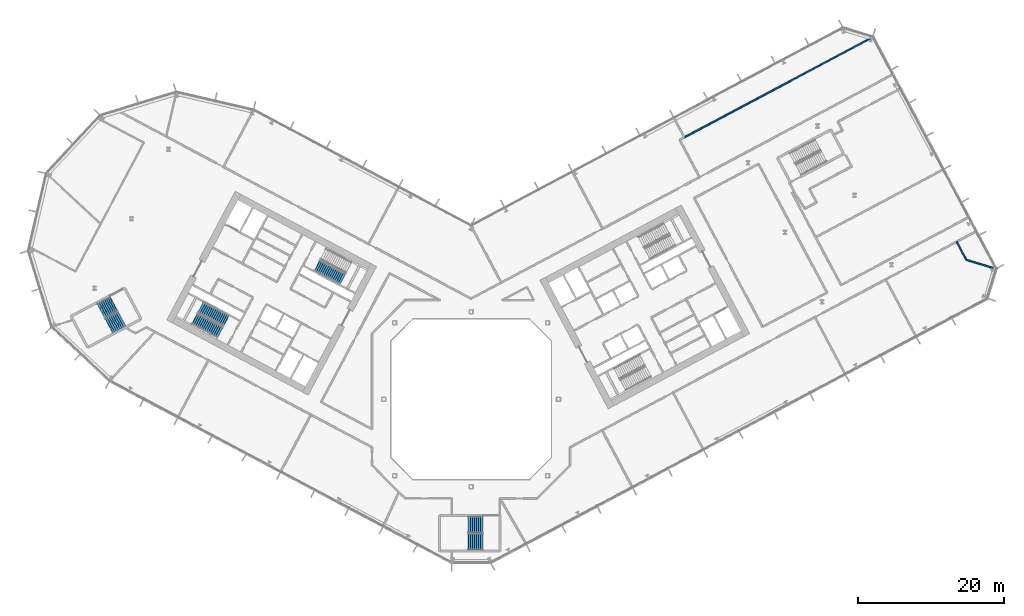
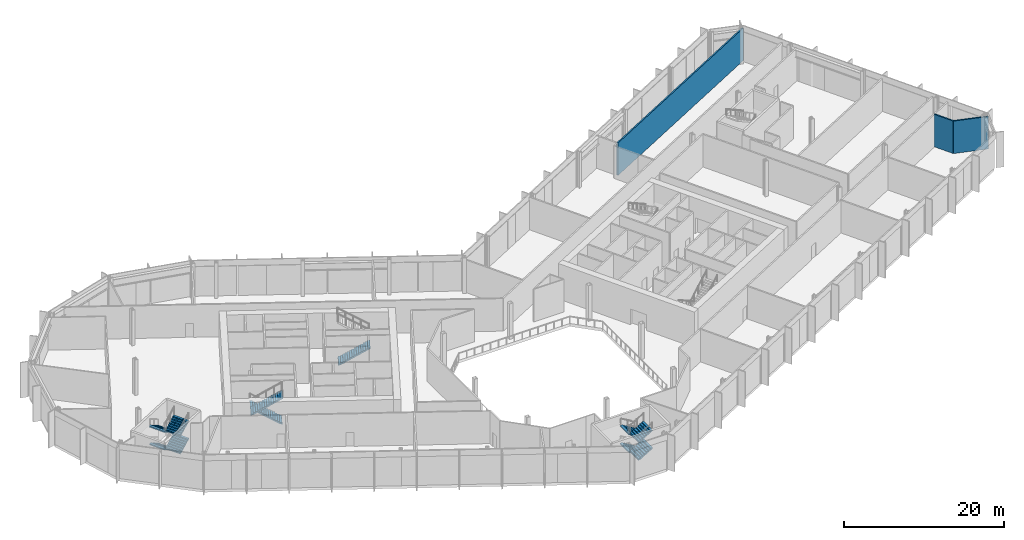
# One storey, part 18 of 31: 11 stair flights, 3 walls, 4 elements without a shape of their own.
"""IFC4 building model written with IfcOpenShell, lengths in metres."""

from ifc_helpers import new_model, si_unit, direction, frame, frame_2d, origin, place, context, subcontext, project, spatial, polyline, rectangle, outline, extrude, material, layer, layer_set, type_object, element, aggregate, save


model = new_model("IFC4")

# Units and contexts
model_context = context("Model", 3, precision=1e-05, world=origin(), true_north=direction((0.0, 1.0)))
body_context = subcontext(model_context, "Body", "Model", "MODEL_VIEW")
ifc_project = project(units=[si_unit("LENGTHUNIT", "METRE"), si_unit("AREAUNIT", "SQUARE_METRE"), si_unit("VOLUMEUNIT", "CUBIC_METRE"), si_unit("PLANEANGLEUNIT", "RADIAN"), si_unit("MASSUNIT", "GRAM", prefix="KILO")], contexts=[model_context])

# Site, building, storey
site_placement = place(None, origin())
site = spatial("IfcSite", under=ifc_project, at=site_placement, CompositionType="ELEMENT")
building_placement = place(site_placement, origin())
building = spatial("IfcBuilding", under=site, at=building_placement, Name="Cormorant Relay Tower", CompositionType="ELEMENT")
storey_placement = place(building_placement, frame((0.0, 0.0, 33.800048828125)))
storey = spatial("IfcBuildingStorey", under=building, at=storey_placement, Name="L06", CompositionType="ELEMENT", Elevation=33.800048828125)

# Walls
ifc_material_1 = material(Name="Fire-rated gypsum board partition")
ifc_layer = layer(ifc_material_1, 0.199951171875)
ifc_layer_set = layer_set([ifc_layer], Name="Fire-rated gypsum partition 200")
wall_type = type_object("IfcWallType", Name="Fire-rated gypsum partition 200", PredefinedType="PARTITIONING", material=ifc_layer_set)
wall_1_placement = place(storey_placement, frame((29.260009765625, 35.945068359375, 0.0), z_axis=(0.0, 0.0, 1.0), x_axis=(0.882955510648, 0.469456671288, 0.0)))
element("IfcWall", 1, at=wall_1_placement, inside=storey, type_object=wall_type, Name="wall/L06/part/37", PredefinedType="PARTITIONING", context=body_context, shape_type="SweptSolid", body=[
    extrude(rectangle(XDim=29.506591796875, YDim=0.199951171875, at=frame_2d((14.75341796875, 0.0))), origin(), (0.0, 0.0, 1.0), 4.949951171875),
])
wall_2_placement = place(storey_placement, frame((66.64892578125, 21.623046875, 0.0), z_axis=(0.0, 0.0, 1.0), x_axis=(0.469796507672, -0.882774739885, 0.0)))
element("IfcWall", 2, at=wall_2_placement, inside=storey, type_object=wall_type, Name="wall/L06/part/54", PredefinedType="PARTITIONING", context=body_context, shape_type="SweptSolid", body=[
    extrude(rectangle(XDim=2.801513671875, YDim=0.199951171875, at=frame_2d((1.40087890625, 0.0))), origin(), (0.0, 0.0, 1.0), 4.949951171875),
])
wall_3_placement = place(storey_placement, frame((67.965087890625, 19.14990234375, 0.0), z_axis=(0.0, 0.0, 1.0), x_axis=(0.956221844793, -0.292642757539, 0.0)))
element("IfcWall", 3, at=wall_3_placement, inside=storey, type_object=wall_type, Name="wall/L06/part/55", PredefinedType="PARTITIONING", context=body_context, shape_type="SweptSolid", body=[
    extrude(rectangle(XDim=4.459228515625, YDim=0.199951171875, at=frame_2d((2.2294921875, 0.0))), origin(), (0.0, 0.0, 1.0), 4.949951171875),
])

# Stair, stair flight
ifc_material_2 = material(Name="Concrete 40 MPa", Category="concrete")
stair_type_1 = type_object("IfcStairType", Name="Exit stair 1500", PredefinedType="HALF_TURN_STAIR", material=ifc_material_2)
stair_1_placement = place(storey_placement, origin())
stair_1 = element("IfcStair", 4, at=stair_1_placement, inside=storey, type_object=stair_type_1, Name="L06 Stair", PredefinedType="HALF_TURN_STAIR")
ifc_material_3 = material(Name="Concrete 40 MPa", Category="concrete")
stair_flight_type_1 = type_object("IfcStairFlightType", Name="Exit stair flight 1650", PredefinedType="STRAIGHT", material=ifc_material_3)
stair_flight_1_placement = place(storey_placement, frame((-21.114501953125, 18.33349609375, 0.0), z_axis=(0.0, 0.0, 1.0), x_axis=(0.882947592859, -0.469471562786, 0.0)))
stair_flight_1 = element("IfcStairFlight", 5, at=stair_flight_1_placement, type_object=stair_flight_type_1, Name="A1 flight 1", NumberOfRisers=15, NumberOfTreads=14, PredefinedType="STRAIGHT", RiserHeight=0.18, TreadLength=0.28, context=body_context, shape_type="SweptSolid", body=[
    extrude(outline(polyline([(-0.050048828125, -0.080078125), (-0.050048828125, 0.0), (0.0, 0.0), (0.0, 0.179931640625), (0.280029296875, 0.179931640625), (0.280029296875, 0.360107421875), (0.56005859375, 0.360107421875), (0.56005859375, 0.5400390625), (0.840087890625, 0.5400390625), (0.840087890625, 0.719970703125), (1.1201171875, 0.719970703125), (1.1201171875, 0.89990234375), (1.39990234375, 0.89990234375), (1.39990234375, 1.080078125), (1.679931640625, 1.080078125), (1.679931640625, 1.260009765625), (1.9599609375, 1.260009765625), (1.9599609375, 1.43994140625), (2.239990234375, 1.43994140625), (2.239990234375, 1.6201171875), (2.52001953125, 1.6201171875), (2.52001953125, 1.800048828125), (2.800048828125, 1.800048828125), (2.800048828125, 1.97998046875), (3.080078125, 1.97998046875), (3.080078125, 2.159912109375), (3.360107421875, 2.159912109375), (3.360107421875, 2.340087890625), (3.639892578125, 2.340087890625), (3.639892578125, 2.52001953125), (3.919921875, 2.52001953125), (3.969970703125, 2.52001953125), (3.969970703125, 2.341796875), (3.919921875, 2.341796875), (0.277099609375, 0.0), (-0.050048828125, -0.080078125)])), frame((0.0, 0.824951171875, 0.0), z_axis=(0.0, -1.0, 0.0), x_axis=(1.0, 0.0, 0.0)), (0.0, 0.0, 1.0), 1.64990234375),
])
aggregate(stair_1, [stair_flight_1])

# Stair, stair flights
stair_2_placement = place(storey_placement, origin())
stair_2 = element("IfcStair", 6, at=stair_2_placement, inside=storey, type_object=stair_type_1, Name="L06 Stair", PredefinedType="HALF_TURN_STAIR")
stair_flight_2_placement = place(storey_placement, frame((-33.62841796875, 10.773681640625, 0.0), z_axis=(0.0, 0.0, 1.0), x_axis=(-0.882947592859, 0.469471562786, 0.0)))
stair_flight_2 = element("IfcStairFlight", 7, at=stair_flight_2_placement, type_object=stair_flight_type_1, Name="A2 flight 1", NumberOfRisers=15, NumberOfTreads=14, PredefinedType="STRAIGHT", RiserHeight=0.18, TreadLength=0.28, context=body_context, shape_type="SweptSolid", body=[
    extrude(outline(polyline([(-0.050048828125, -0.080078125), (-0.050048828125, 0.0), (0.0, 0.0), (0.0, 0.179931640625), (0.280029296875, 0.179931640625), (0.280029296875, 0.360107421875), (0.56005859375, 0.360107421875), (0.56005859375, 0.5400390625), (0.840087890625, 0.5400390625), (0.840087890625, 0.719970703125), (1.1201171875, 0.719970703125), (1.1201171875, 0.89990234375), (1.39990234375, 0.89990234375), (1.39990234375, 1.080078125), (1.679931640625, 1.080078125), (1.679931640625, 1.260009765625), (1.9599609375, 1.260009765625), (1.9599609375, 1.43994140625), (2.239990234375, 1.43994140625), (2.239990234375, 1.6201171875), (2.52001953125, 1.6201171875), (2.52001953125, 1.800048828125), (2.800048828125, 1.800048828125), (2.800048828125, 1.97998046875), (3.080078125, 1.97998046875), (3.080078125, 2.159912109375), (3.360107421875, 2.159912109375), (3.360107421875, 2.340087890625), (3.639892578125, 2.340087890625), (3.639892578125, 2.52001953125), (3.919921875, 2.52001953125), (3.969970703125, 2.52001953125), (3.969970703125, 2.341796875), (3.919921875, 2.341796875), (0.277099609375, 0.0), (-0.050048828125, -0.080078125)])), frame((0.0, 0.824951171875, 0.0), z_axis=(0.0, -1.0, 0.0), x_axis=(1.0, 0.0, 0.0)), (0.0, 0.0, 1.0), 1.64990234375),
])
stair_flight_3_placement = place(storey_placement, frame((-37.9345703125, 11.024658203125, 2.699951171875), z_axis=(0.0, 0.0, 1.0), x_axis=(0.882947592859, -0.469471562786, 0.0)))
stair_flight_3 = element("IfcStairFlight", 8, at=stair_flight_3_placement, type_object=stair_flight_type_1, Name="A2 flight 2", NumberOfRisers=15, NumberOfTreads=14, PredefinedType="STRAIGHT", RiserHeight=0.18, TreadLength=0.28, context=body_context, shape_type="SweptSolid", body=[
    extrude(outline(polyline([(-0.050048828125, -0.080078125), (-0.050048828125, 0.0), (0.0, 0.0), (0.0, 0.179931640625), (0.280029296875, 0.179931640625), (0.280029296875, 0.360107421875), (0.56005859375, 0.360107421875), (0.56005859375, 0.5400390625), (0.840087890625, 0.5400390625), (0.840087890625, 0.719970703125), (1.1201171875, 0.719970703125), (1.1201171875, 0.89990234375), (1.39990234375, 0.89990234375), (1.39990234375, 1.080078125), (1.679931640625, 1.080078125), (1.679931640625, 1.260009765625), (1.9599609375, 1.260009765625), (1.9599609375, 1.43994140625), (2.239990234375, 1.43994140625), (2.239990234375, 1.6201171875), (2.52001953125, 1.6201171875), (2.52001953125, 1.800048828125), (2.800048828125, 1.800048828125), (2.800048828125, 1.97998046875), (3.080078125, 1.97998046875), (3.080078125, 2.159912109375), (3.360107421875, 2.159912109375), (3.360107421875, 2.340087890625), (3.639892578125, 2.340087890625), (3.639892578125, 2.52001953125), (3.919921875, 2.52001953125), (3.969970703125, 2.52001953125), (3.969970703125, 2.341796875), (3.919921875, 2.341796875), (0.277099609375, 0.0), (-0.050048828125, -0.080078125)])), frame((0.0, 0.824951171875, 0.0), z_axis=(0.0, -1.0, 0.0), x_axis=(1.0, 0.0, 0.0)), (0.0, 0.0, 1.0), 1.64990234375),
])
aggregate(stair_2, [stair_flight_2, stair_flight_3])

ifc_material_4 = material(Name="Concrete 40 MPa", Category="concrete")
stair_type_2 = type_object("IfcStairType", Name="Remote exit stair 2200", PredefinedType="HALF_TURN_STAIR", material=ifc_material_4)
stair_3_placement = place(storey_placement, origin())
stair_3 = element("IfcStair", 9, at=stair_3_placement, inside=storey, type_object=stair_type_2, Name="L06 Stair", PredefinedType="HALF_TURN_STAIR")
ifc_material_5 = material(Name="Concrete 40 MPa", Category="concrete")
stair_flight_type_2 = type_object("IfcStairFlightType", Name="Remote exit stair flight 2200", PredefinedType="STRAIGHT", material=ifc_material_5)
stair_flight_4_placement = place(storey_placement, frame((1.60009765625, -17.22509765625, 0.0), z_axis=(0.0, 0.0, 1.0), x_axis=(-1.0, 0.0, 0.0)))
stair_flight_4 = element("IfcStairFlight", 10, at=stair_flight_4_placement, type_object=stair_flight_type_2, Name="RK1 flight 1", NumberOfRisers=8, NumberOfTreads=7, PredefinedType="STRAIGHT", RiserHeight=0.16875, TreadLength=0.28, context=body_context, shape_type="SweptSolid", body=[
    extrude(outline(polyline([(-0.050048828125, -0.080078125), (-0.050048828125, 0.0), (0.0, 0.0), (0.0, 0.168701171875), (0.280029296875, 0.168701171875), (0.280029296875, 0.33740234375), (0.56005859375, 0.33740234375), (0.56005859375, 0.50634765625), (0.840087890625, 0.50634765625), (0.840087890625, 0.675048828125), (1.1201171875, 0.675048828125), (1.1201171875, 0.84375), (1.39990234375, 0.84375), (1.39990234375, 1.012451171875), (1.679931640625, 1.012451171875), (1.679931640625, 1.18115234375), (1.9599609375, 1.18115234375), (2.010009765625, 1.18115234375), (2.010009765625, 1.00634765625), (1.9599609375, 1.00634765625), (0.29052734375, 0.0), (-0.050048828125, -0.080078125)])), frame((0.0, 1.10009765625, 0.0), z_axis=(0.0, -1.0, 0.0), x_axis=(1.0, 0.0, 0.0)), (0.0, 0.0, 1.0), 0.719970703125),
    extrude(outline(polyline([(-0.050048828125, -0.080078125), (-0.050048828125, 0.0), (0.0, 0.0), (0.0, 0.168701171875), (0.280029296875, 0.168701171875), (0.280029296875, 0.33740234375), (0.56005859375, 0.33740234375), (0.56005859375, 0.50634765625), (0.840087890625, 0.50634765625), (0.840087890625, 0.675048828125), (1.1201171875, 0.675048828125), (1.1201171875, 0.84375), (1.39990234375, 0.84375), (1.39990234375, 1.012451171875), (1.679931640625, 1.012451171875), (1.679931640625, 1.18115234375), (1.9599609375, 1.18115234375), (2.010009765625, 1.18115234375), (2.010009765625, 1.00634765625), (1.9599609375, 1.00634765625), (0.29052734375, 0.0), (-0.050048828125, -0.080078125)])), frame((0.0, 0.360107421875, 0.0), z_axis=(0.0, -1.0, 0.0), x_axis=(1.0, 0.0, 0.0)), (0.0, 0.0, 1.0), 0.719970703125),
    extrude(outline(polyline([(-0.050048828125, -0.080078125), (-0.050048828125, 0.0), (0.0, 0.0), (0.0, 0.168701171875), (0.280029296875, 0.168701171875), (0.280029296875, 0.33740234375), (0.56005859375, 0.33740234375), (0.56005859375, 0.50634765625), (0.840087890625, 0.50634765625), (0.840087890625, 0.675048828125), (1.1201171875, 0.675048828125), (1.1201171875, 0.84375), (1.39990234375, 0.84375), (1.39990234375, 1.012451171875), (1.679931640625, 1.012451171875), (1.679931640625, 1.18115234375), (1.9599609375, 1.18115234375), (2.010009765625, 1.18115234375), (2.010009765625, 1.00634765625), (1.9599609375, 1.00634765625), (0.29052734375, 0.0), (-0.050048828125, -0.080078125)])), frame((0.0, -0.3798828125, 0.0), z_axis=(0.0, -1.0, 0.0), x_axis=(1.0, 0.0, 0.0)), (0.0, 0.0, 1.0), 0.719970703125),
])
stair_flight_5_placement = place(storey_placement, frame((-0.360107421875, -19.574951171875, 1.349853515625), z_axis=(0.0, 0.0, 1.0), x_axis=(1.0, 0.0, 0.0)))
stair_flight_5 = element("IfcStairFlight", 11, at=stair_flight_5_placement, type_object=stair_flight_type_2, Name="RK1 flight 2", NumberOfRisers=8, NumberOfTreads=7, PredefinedType="STRAIGHT", RiserHeight=0.16875, TreadLength=0.28, context=body_context, shape_type="SweptSolid", body=[
    extrude(outline(polyline([(-0.050048828125, -0.080078125), (-0.050048828125, 0.0), (0.0, 0.0), (0.0, 0.168701171875), (0.280029296875, 0.168701171875), (0.280029296875, 0.33740234375), (0.56005859375, 0.33740234375), (0.56005859375, 0.50634765625), (0.840087890625, 0.50634765625), (0.840087890625, 0.675048828125), (1.1201171875, 0.675048828125), (1.1201171875, 0.84375), (1.39990234375, 0.84375), (1.39990234375, 1.012451171875), (1.679931640625, 1.012451171875), (1.679931640625, 1.18115234375), (1.9599609375, 1.18115234375), (2.010009765625, 1.18115234375), (2.010009765625, 1.00634765625), (1.9599609375, 1.00634765625), (0.29052734375, 0.0), (-0.050048828125, -0.080078125)])), frame((0.0, 1.10009765625, 0.0), z_axis=(0.0, -1.0, 0.0), x_axis=(1.0, 0.0, 0.0)), (0.0, 0.0, 1.0), 0.719970703125),
    extrude(outline(polyline([(-0.050048828125, -0.080078125), (-0.050048828125, 0.0), (0.0, 0.0), (0.0, 0.168701171875), (0.280029296875, 0.168701171875), (0.280029296875, 0.33740234375), (0.56005859375, 0.33740234375), (0.56005859375, 0.50634765625), (0.840087890625, 0.50634765625), (0.840087890625, 0.675048828125), (1.1201171875, 0.675048828125), (1.1201171875, 0.84375), (1.39990234375, 0.84375), (1.39990234375, 1.012451171875), (1.679931640625, 1.012451171875), (1.679931640625, 1.18115234375), (1.9599609375, 1.18115234375), (2.010009765625, 1.18115234375), (2.010009765625, 1.00634765625), (1.9599609375, 1.00634765625), (0.29052734375, 0.0), (-0.050048828125, -0.080078125)])), frame((0.0, 0.360107421875, 0.0), z_axis=(0.0, -1.0, 0.0), x_axis=(1.0, 0.0, 0.0)), (0.0, 0.0, 1.0), 0.719970703125),
    extrude(outline(polyline([(-0.050048828125, -0.080078125), (-0.050048828125, 0.0), (0.0, 0.0), (0.0, 0.168701171875), (0.280029296875, 0.168701171875), (0.280029296875, 0.33740234375), (0.56005859375, 0.33740234375), (0.56005859375, 0.50634765625), (0.840087890625, 0.50634765625), (0.840087890625, 0.675048828125), (1.1201171875, 0.675048828125), (1.1201171875, 0.84375), (1.39990234375, 0.84375), (1.39990234375, 1.012451171875), (1.679931640625, 1.012451171875), (1.679931640625, 1.18115234375), (1.9599609375, 1.18115234375), (2.010009765625, 1.18115234375), (2.010009765625, 1.00634765625), (1.9599609375, 1.00634765625), (0.29052734375, 0.0), (-0.050048828125, -0.080078125)])), frame((0.0, -0.3798828125, 0.0), z_axis=(0.0, -1.0, 0.0), x_axis=(1.0, 0.0, 0.0)), (0.0, 0.0, 1.0), 0.719970703125),
])
stair_flight_6_placement = place(storey_placement, frame((1.60009765625, -17.22509765625, 2.699951171875), z_axis=(0.0, 0.0, 1.0), x_axis=(-1.0, 0.0, 0.0)))
stair_flight_6 = element("IfcStairFlight", 12, at=stair_flight_6_placement, type_object=stair_flight_type_2, Name="RK1 flight 3", NumberOfRisers=8, NumberOfTreads=7, PredefinedType="STRAIGHT", RiserHeight=0.16875, TreadLength=0.28, context=body_context, shape_type="SweptSolid", body=[
    extrude(outline(polyline([(-0.050048828125, -0.080078125), (-0.050048828125, 0.0), (0.0, 0.0), (0.0, 0.168701171875), (0.280029296875, 0.168701171875), (0.280029296875, 0.33740234375), (0.56005859375, 0.33740234375), (0.56005859375, 0.50634765625), (0.840087890625, 0.50634765625), (0.840087890625, 0.675048828125), (1.1201171875, 0.675048828125), (1.1201171875, 0.84375), (1.39990234375, 0.84375), (1.39990234375, 1.012451171875), (1.679931640625, 1.012451171875), (1.679931640625, 1.18115234375), (1.9599609375, 1.18115234375), (2.010009765625, 1.18115234375), (2.010009765625, 1.00634765625), (1.9599609375, 1.00634765625), (0.29052734375, 0.0), (-0.050048828125, -0.080078125)])), frame((0.0, 1.10009765625, 0.0), z_axis=(0.0, -1.0, 0.0), x_axis=(1.0, 0.0, 0.0)), (0.0, 0.0, 1.0), 0.719970703125),
    extrude(outline(polyline([(-0.050048828125, -0.080078125), (-0.050048828125, 0.0), (0.0, 0.0), (0.0, 0.168701171875), (0.280029296875, 0.168701171875), (0.280029296875, 0.33740234375), (0.56005859375, 0.33740234375), (0.56005859375, 0.50634765625), (0.840087890625, 0.50634765625), (0.840087890625, 0.675048828125), (1.1201171875, 0.675048828125), (1.1201171875, 0.84375), (1.39990234375, 0.84375), (1.39990234375, 1.012451171875), (1.679931640625, 1.012451171875), (1.679931640625, 1.18115234375), (1.9599609375, 1.18115234375), (2.010009765625, 1.18115234375), (2.010009765625, 1.00634765625), (1.9599609375, 1.00634765625), (0.29052734375, 0.0), (-0.050048828125, -0.080078125)])), frame((0.0, 0.360107421875, 0.0), z_axis=(0.0, -1.0, 0.0), x_axis=(1.0, 0.0, 0.0)), (0.0, 0.0, 1.0), 0.719970703125),
    extrude(outline(polyline([(-0.050048828125, -0.080078125), (-0.050048828125, 0.0), (0.0, 0.0), (0.0, 0.168701171875), (0.280029296875, 0.168701171875), (0.280029296875, 0.33740234375), (0.56005859375, 0.33740234375), (0.56005859375, 0.50634765625), (0.840087890625, 0.50634765625), (0.840087890625, 0.675048828125), (1.1201171875, 0.675048828125), (1.1201171875, 0.84375), (1.39990234375, 0.84375), (1.39990234375, 1.012451171875), (1.679931640625, 1.012451171875), (1.679931640625, 1.18115234375), (1.9599609375, 1.18115234375), (2.010009765625, 1.18115234375), (2.010009765625, 1.00634765625), (1.9599609375, 1.00634765625), (0.29052734375, 0.0), (-0.050048828125, -0.080078125)])), frame((0.0, -0.3798828125, 0.0), z_axis=(0.0, -1.0, 0.0), x_axis=(1.0, 0.0, 0.0)), (0.0, 0.0, 1.0), 0.719970703125),
])
stair_flight_7_placement = place(storey_placement, frame((-0.360107421875, -19.574951171875, 4.050048828125), z_axis=(0.0, 0.0, 1.0), x_axis=(1.0, 0.0, 0.0)))
stair_flight_7 = element("IfcStairFlight", 13, at=stair_flight_7_placement, type_object=stair_flight_type_2, Name="RK1 flight 4", NumberOfRisers=8, NumberOfTreads=7, PredefinedType="STRAIGHT", RiserHeight=0.16875, TreadLength=0.28, context=body_context, shape_type="SweptSolid", body=[
    extrude(outline(polyline([(-0.050048828125, -0.080078125), (-0.050048828125, 0.0), (0.0, 0.0), (0.0, 0.168701171875), (0.280029296875, 0.168701171875), (0.280029296875, 0.33740234375), (0.56005859375, 0.33740234375), (0.56005859375, 0.50634765625), (0.840087890625, 0.50634765625), (0.840087890625, 0.675048828125), (1.1201171875, 0.675048828125), (1.1201171875, 0.84375), (1.39990234375, 0.84375), (1.39990234375, 1.012451171875), (1.679931640625, 1.012451171875), (1.679931640625, 1.18115234375), (1.9599609375, 1.18115234375), (2.010009765625, 1.18115234375), (2.010009765625, 1.00634765625), (1.9599609375, 1.00634765625), (0.29052734375, 0.0), (-0.050048828125, -0.080078125)])), frame((0.0, 1.10009765625, 0.0), z_axis=(0.0, -1.0, 0.0), x_axis=(1.0, 0.0, 0.0)), (0.0, 0.0, 1.0), 0.719970703125),
    extrude(outline(polyline([(-0.050048828125, -0.080078125), (-0.050048828125, 0.0), (0.0, 0.0), (0.0, 0.168701171875), (0.280029296875, 0.168701171875), (0.280029296875, 0.33740234375), (0.56005859375, 0.33740234375), (0.56005859375, 0.50634765625), (0.840087890625, 0.50634765625), (0.840087890625, 0.675048828125), (1.1201171875, 0.675048828125), (1.1201171875, 0.84375), (1.39990234375, 0.84375), (1.39990234375, 1.012451171875), (1.679931640625, 1.012451171875), (1.679931640625, 1.18115234375), (1.9599609375, 1.18115234375), (2.010009765625, 1.18115234375), (2.010009765625, 1.00634765625), (1.9599609375, 1.00634765625), (0.29052734375, 0.0), (-0.050048828125, -0.080078125)])), frame((0.0, 0.360107421875, 0.0), z_axis=(0.0, -1.0, 0.0), x_axis=(1.0, 0.0, 0.0)), (0.0, 0.0, 1.0), 0.719970703125),
    extrude(outline(polyline([(-0.050048828125, -0.080078125), (-0.050048828125, 0.0), (0.0, 0.0), (0.0, 0.168701171875), (0.280029296875, 0.168701171875), (0.280029296875, 0.33740234375), (0.56005859375, 0.33740234375), (0.56005859375, 0.50634765625), (0.840087890625, 0.50634765625), (0.840087890625, 0.675048828125), (1.1201171875, 0.675048828125), (1.1201171875, 0.84375), (1.39990234375, 0.84375), (1.39990234375, 1.012451171875), (1.679931640625, 1.012451171875), (1.679931640625, 1.18115234375), (1.9599609375, 1.18115234375), (2.010009765625, 1.18115234375), (2.010009765625, 1.00634765625), (1.9599609375, 1.00634765625), (0.29052734375, 0.0), (-0.050048828125, -0.080078125)])), frame((0.0, -0.3798828125, 0.0), z_axis=(0.0, -1.0, 0.0), x_axis=(1.0, 0.0, 0.0)), (0.0, 0.0, 1.0), 0.719970703125),
])
aggregate(stair_3, [stair_flight_4, stair_flight_5, stair_flight_6, stair_flight_7])

stair_4_placement = place(storey_placement, origin())
stair_4 = element("IfcStair", 14, at=stair_4_placement, inside=storey, type_object=stair_type_2, Name="L06 Stair", PredefinedType="HALF_TURN_STAIR")
stair_flight_8_placement = place(storey_placement, frame((-49.062255859375, 13.08251953125, 0.0), z_axis=(0.0, 0.0, 1.0), x_axis=(-0.882947502727, -0.4694717323, 0.0)))
stair_flight_8 = element("IfcStairFlight", 15, at=stair_flight_8_placement, type_object=stair_flight_type_2, Name="RP1 flight 1", NumberOfRisers=8, NumberOfTreads=7, PredefinedType="STRAIGHT", RiserHeight=0.16875, TreadLength=0.28, context=body_context, shape_type="SweptSolid", body=[
    extrude(outline(polyline([(-0.050048828125, -0.080078125), (-0.050048828125, 0.0), (0.0, 0.0), (0.0, 0.168701171875), (0.280029296875, 0.168701171875), (0.280029296875, 0.33740234375), (0.56005859375, 0.33740234375), (0.56005859375, 0.50634765625), (0.840087890625, 0.50634765625), (0.840087890625, 0.675048828125), (1.1201171875, 0.675048828125), (1.1201171875, 0.84375), (1.39990234375, 0.84375), (1.39990234375, 1.012451171875), (1.679931640625, 1.012451171875), (1.679931640625, 1.18115234375), (1.9599609375, 1.18115234375), (2.010009765625, 1.18115234375), (2.010009765625, 1.00634765625), (1.9599609375, 1.00634765625), (0.29052734375, 0.0), (-0.050048828125, -0.080078125)])), frame((0.0, 1.10009765625, 0.0), z_axis=(0.0, -1.0, 0.0), x_axis=(1.0, 0.0, 0.0)), (0.0, 0.0, 1.0), 0.719970703125),
    extrude(outline(polyline([(-0.050048828125, -0.080078125), (-0.050048828125, 0.0), (0.0, 0.0), (0.0, 0.168701171875), (0.280029296875, 0.168701171875), (0.280029296875, 0.33740234375), (0.56005859375, 0.33740234375), (0.56005859375, 0.50634765625), (0.840087890625, 0.50634765625), (0.840087890625, 0.675048828125), (1.1201171875, 0.675048828125), (1.1201171875, 0.84375), (1.39990234375, 0.84375), (1.39990234375, 1.012451171875), (1.679931640625, 1.012451171875), (1.679931640625, 1.18115234375), (1.9599609375, 1.18115234375), (2.010009765625, 1.18115234375), (2.010009765625, 1.00634765625), (1.9599609375, 1.00634765625), (0.29052734375, 0.0), (-0.050048828125, -0.080078125)])), frame((0.0, 0.360107421875, 0.0), z_axis=(0.0, -1.0, 0.0), x_axis=(1.0, 0.0, 0.0)), (0.0, 0.0, 1.0), 0.719970703125),
    extrude(outline(polyline([(-0.050048828125, -0.080078125), (-0.050048828125, 0.0), (0.0, 0.0), (0.0, 0.168701171875), (0.280029296875, 0.168701171875), (0.280029296875, 0.33740234375), (0.56005859375, 0.33740234375), (0.56005859375, 0.50634765625), (0.840087890625, 0.50634765625), (0.840087890625, 0.675048828125), (1.1201171875, 0.675048828125), (1.1201171875, 0.84375), (1.39990234375, 0.84375), (1.39990234375, 1.012451171875), (1.679931640625, 1.012451171875), (1.679931640625, 1.18115234375), (1.9599609375, 1.18115234375), (2.010009765625, 1.18115234375), (2.010009765625, 1.00634765625), (1.9599609375, 1.00634765625), (0.29052734375, 0.0), (-0.050048828125, -0.080078125)])), frame((0.0, -0.3798828125, 0.0), z_axis=(0.0, -1.0, 0.0), x_axis=(1.0, 0.0, 0.0)), (0.0, 0.0, 1.0), 0.719970703125),
])
stair_flight_9_placement = place(storey_placement, frame((-49.689697265625, 10.08740234375, 1.349853515625), z_axis=(0.0, 0.0, 1.0), x_axis=(0.882947502727, 0.4694717323, 0.0)))
stair_flight_9 = element("IfcStairFlight", 16, at=stair_flight_9_placement, type_object=stair_flight_type_2, Name="RP1 flight 2", NumberOfRisers=8, NumberOfTreads=7, PredefinedType="STRAIGHT", RiserHeight=0.16875, TreadLength=0.28, context=body_context, shape_type="SweptSolid", body=[
    extrude(outline(polyline([(-0.050048828125, -0.080078125), (-0.050048828125, 0.0), (0.0, 0.0), (0.0, 0.168701171875), (0.280029296875, 0.168701171875), (0.280029296875, 0.33740234375), (0.56005859375, 0.33740234375), (0.56005859375, 0.50634765625), (0.840087890625, 0.50634765625), (0.840087890625, 0.675048828125), (1.1201171875, 0.675048828125), (1.1201171875, 0.84375), (1.39990234375, 0.84375), (1.39990234375, 1.012451171875), (1.679931640625, 1.012451171875), (1.679931640625, 1.18115234375), (1.9599609375, 1.18115234375), (2.010009765625, 1.18115234375), (2.010009765625, 1.00634765625), (1.9599609375, 1.00634765625), (0.29052734375, 0.0), (-0.050048828125, -0.080078125)])), frame((0.0, 1.10009765625, 0.0), z_axis=(0.0, -1.0, 0.0), x_axis=(1.0, 0.0, 0.0)), (0.0, 0.0, 1.0), 0.719970703125),
    extrude(outline(polyline([(-0.050048828125, -0.080078125), (-0.050048828125, 0.0), (0.0, 0.0), (0.0, 0.168701171875), (0.280029296875, 0.168701171875), (0.280029296875, 0.33740234375), (0.56005859375, 0.33740234375), (0.56005859375, 0.50634765625), (0.840087890625, 0.50634765625), (0.840087890625, 0.675048828125), (1.1201171875, 0.675048828125), (1.1201171875, 0.84375), (1.39990234375, 0.84375), (1.39990234375, 1.012451171875), (1.679931640625, 1.012451171875), (1.679931640625, 1.18115234375), (1.9599609375, 1.18115234375), (2.010009765625, 1.18115234375), (2.010009765625, 1.00634765625), (1.9599609375, 1.00634765625), (0.29052734375, 0.0), (-0.050048828125, -0.080078125)])), frame((0.0, 0.360107421875, 0.0), z_axis=(0.0, -1.0, 0.0), x_axis=(1.0, 0.0, 0.0)), (0.0, 0.0, 1.0), 0.719970703125),
    extrude(outline(polyline([(-0.050048828125, -0.080078125), (-0.050048828125, 0.0), (0.0, 0.0), (0.0, 0.168701171875), (0.280029296875, 0.168701171875), (0.280029296875, 0.33740234375), (0.56005859375, 0.33740234375), (0.56005859375, 0.50634765625), (0.840087890625, 0.50634765625), (0.840087890625, 0.675048828125), (1.1201171875, 0.675048828125), (1.1201171875, 0.84375), (1.39990234375, 0.84375), (1.39990234375, 1.012451171875), (1.679931640625, 1.012451171875), (1.679931640625, 1.18115234375), (1.9599609375, 1.18115234375), (2.010009765625, 1.18115234375), (2.010009765625, 1.00634765625), (1.9599609375, 1.00634765625), (0.29052734375, 0.0), (-0.050048828125, -0.080078125)])), frame((0.0, -0.3798828125, 0.0), z_axis=(0.0, -1.0, 0.0), x_axis=(1.0, 0.0, 0.0)), (0.0, 0.0, 1.0), 0.719970703125),
])
stair_flight_10_placement = place(storey_placement, frame((-49.062255859375, 13.08251953125, 2.699951171875), z_axis=(0.0, 0.0, 1.0), x_axis=(-0.882947502727, -0.4694717323, 0.0)))
stair_flight_10 = element("IfcStairFlight", 17, at=stair_flight_10_placement, type_object=stair_flight_type_2, Name="RP1 flight 3", NumberOfRisers=8, NumberOfTreads=7, PredefinedType="STRAIGHT", RiserHeight=0.16875, TreadLength=0.28, context=body_context, shape_type="SweptSolid", body=[
    extrude(outline(polyline([(-0.050048828125, -0.080078125), (-0.050048828125, 0.0), (0.0, 0.0), (0.0, 0.168701171875), (0.280029296875, 0.168701171875), (0.280029296875, 0.33740234375), (0.56005859375, 0.33740234375), (0.56005859375, 0.50634765625), (0.840087890625, 0.50634765625), (0.840087890625, 0.675048828125), (1.1201171875, 0.675048828125), (1.1201171875, 0.84375), (1.39990234375, 0.84375), (1.39990234375, 1.012451171875), (1.679931640625, 1.012451171875), (1.679931640625, 1.18115234375), (1.9599609375, 1.18115234375), (2.010009765625, 1.18115234375), (2.010009765625, 1.00634765625), (1.9599609375, 1.00634765625), (0.29052734375, 0.0), (-0.050048828125, -0.080078125)])), frame((0.0, 1.10009765625, 0.0), z_axis=(0.0, -1.0, 0.0), x_axis=(1.0, 0.0, 0.0)), (0.0, 0.0, 1.0), 0.719970703125),
    extrude(outline(polyline([(-0.050048828125, -0.080078125), (-0.050048828125, 0.0), (0.0, 0.0), (0.0, 0.168701171875), (0.280029296875, 0.168701171875), (0.280029296875, 0.33740234375), (0.56005859375, 0.33740234375), (0.56005859375, 0.50634765625), (0.840087890625, 0.50634765625), (0.840087890625, 0.675048828125), (1.1201171875, 0.675048828125), (1.1201171875, 0.84375), (1.39990234375, 0.84375), (1.39990234375, 1.012451171875), (1.679931640625, 1.012451171875), (1.679931640625, 1.18115234375), (1.9599609375, 1.18115234375), (2.010009765625, 1.18115234375), (2.010009765625, 1.00634765625), (1.9599609375, 1.00634765625), (0.29052734375, 0.0), (-0.050048828125, -0.080078125)])), frame((0.0, 0.360107421875, 0.0), z_axis=(0.0, -1.0, 0.0), x_axis=(1.0, 0.0, 0.0)), (0.0, 0.0, 1.0), 0.719970703125),
    extrude(outline(polyline([(-0.050048828125, -0.080078125), (-0.050048828125, 0.0), (0.0, 0.0), (0.0, 0.168701171875), (0.280029296875, 0.168701171875), (0.280029296875, 0.33740234375), (0.56005859375, 0.33740234375), (0.56005859375, 0.50634765625), (0.840087890625, 0.50634765625), (0.840087890625, 0.675048828125), (1.1201171875, 0.675048828125), (1.1201171875, 0.84375), (1.39990234375, 0.84375), (1.39990234375, 1.012451171875), (1.679931640625, 1.012451171875), (1.679931640625, 1.18115234375), (1.9599609375, 1.18115234375), (2.010009765625, 1.18115234375), (2.010009765625, 1.00634765625), (1.9599609375, 1.00634765625), (0.29052734375, 0.0), (-0.050048828125, -0.080078125)])), frame((0.0, -0.3798828125, 0.0), z_axis=(0.0, -1.0, 0.0), x_axis=(1.0, 0.0, 0.0)), (0.0, 0.0, 1.0), 0.719970703125),
])
stair_flight_11_placement = place(storey_placement, frame((-49.689697265625, 10.08740234375, 4.050048828125), z_axis=(0.0, 0.0, 1.0), x_axis=(0.882947502727, 0.4694717323, 0.0)))
stair_flight_11 = element("IfcStairFlight", 18, at=stair_flight_11_placement, type_object=stair_flight_type_2, Name="RP1 flight 4", NumberOfRisers=8, NumberOfTreads=7, PredefinedType="STRAIGHT", RiserHeight=0.16875, TreadLength=0.28, context=body_context, shape_type="SweptSolid", body=[
    extrude(outline(polyline([(-0.050048828125, -0.080078125), (-0.050048828125, 0.0), (0.0, 0.0), (0.0, 0.168701171875), (0.280029296875, 0.168701171875), (0.280029296875, 0.33740234375), (0.56005859375, 0.33740234375), (0.56005859375, 0.50634765625), (0.840087890625, 0.50634765625), (0.840087890625, 0.675048828125), (1.1201171875, 0.675048828125), (1.1201171875, 0.84375), (1.39990234375, 0.84375), (1.39990234375, 1.012451171875), (1.679931640625, 1.012451171875), (1.679931640625, 1.18115234375), (1.9599609375, 1.18115234375), (2.010009765625, 1.18115234375), (2.010009765625, 1.00634765625), (1.9599609375, 1.00634765625), (0.29052734375, 0.0), (-0.050048828125, -0.080078125)])), frame((0.0, 1.10009765625, 0.0), z_axis=(0.0, -1.0, 0.0), x_axis=(1.0, 0.0, 0.0)), (0.0, 0.0, 1.0), 0.719970703125),
    extrude(outline(polyline([(-0.050048828125, -0.080078125), (-0.050048828125, 0.0), (0.0, 0.0), (0.0, 0.168701171875), (0.280029296875, 0.168701171875), (0.280029296875, 0.33740234375), (0.56005859375, 0.33740234375), (0.56005859375, 0.50634765625), (0.840087890625, 0.50634765625), (0.840087890625, 0.675048828125), (1.1201171875, 0.675048828125), (1.1201171875, 0.84375), (1.39990234375, 0.84375), (1.39990234375, 1.012451171875), (1.679931640625, 1.012451171875), (1.679931640625, 1.18115234375), (1.9599609375, 1.18115234375), (2.010009765625, 1.18115234375), (2.010009765625, 1.00634765625), (1.9599609375, 1.00634765625), (0.29052734375, 0.0), (-0.050048828125, -0.080078125)])), frame((0.0, 0.360107421875, 0.0), z_axis=(0.0, -1.0, 0.0), x_axis=(1.0, 0.0, 0.0)), (0.0, 0.0, 1.0), 0.719970703125),
    extrude(outline(polyline([(-0.050048828125, -0.080078125), (-0.050048828125, 0.0), (0.0, 0.0), (0.0, 0.168701171875), (0.280029296875, 0.168701171875), (0.280029296875, 0.33740234375), (0.56005859375, 0.33740234375), (0.56005859375, 0.50634765625), (0.840087890625, 0.50634765625), (0.840087890625, 0.675048828125), (1.1201171875, 0.675048828125), (1.1201171875, 0.84375), (1.39990234375, 0.84375), (1.39990234375, 1.012451171875), (1.679931640625, 1.012451171875), (1.679931640625, 1.18115234375), (1.9599609375, 1.18115234375), (2.010009765625, 1.18115234375), (2.010009765625, 1.00634765625), (1.9599609375, 1.00634765625), (0.29052734375, 0.0), (-0.050048828125, -0.080078125)])), frame((0.0, -0.3798828125, 0.0), z_axis=(0.0, -1.0, 0.0), x_axis=(1.0, 0.0, 0.0)), (0.0, 0.0, 1.0), 0.719970703125),
])
aggregate(stair_4, [stair_flight_8, stair_flight_9, stair_flight_10, stair_flight_11])

save(model, "model.ifc")
